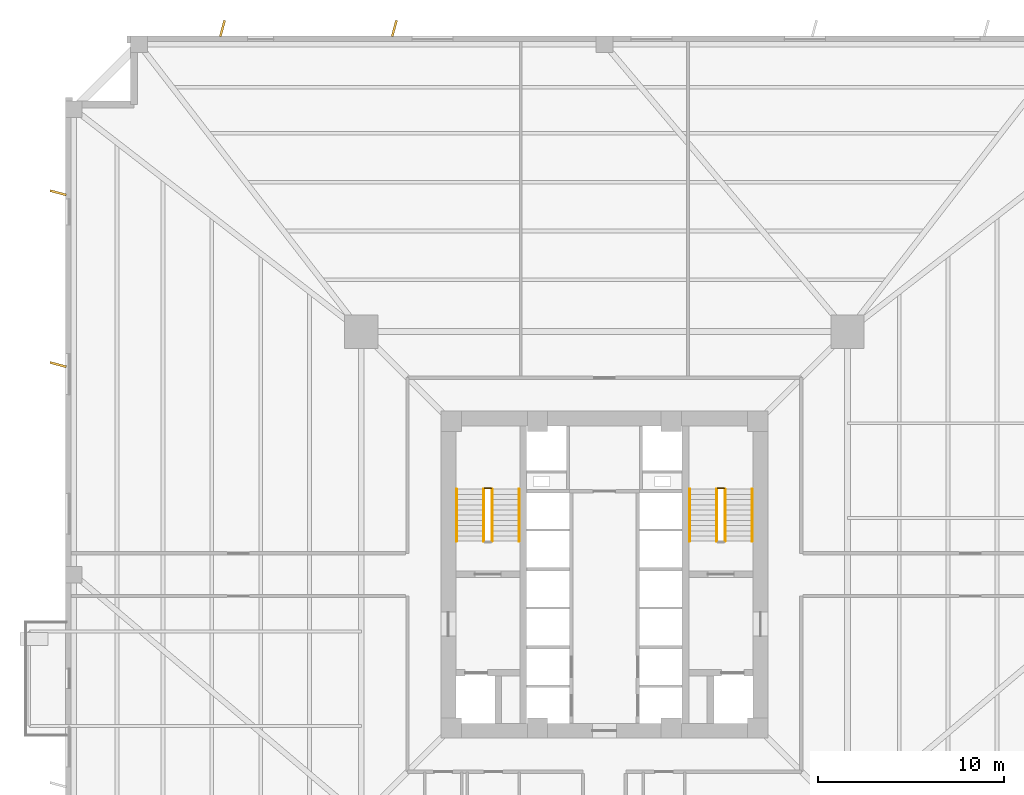
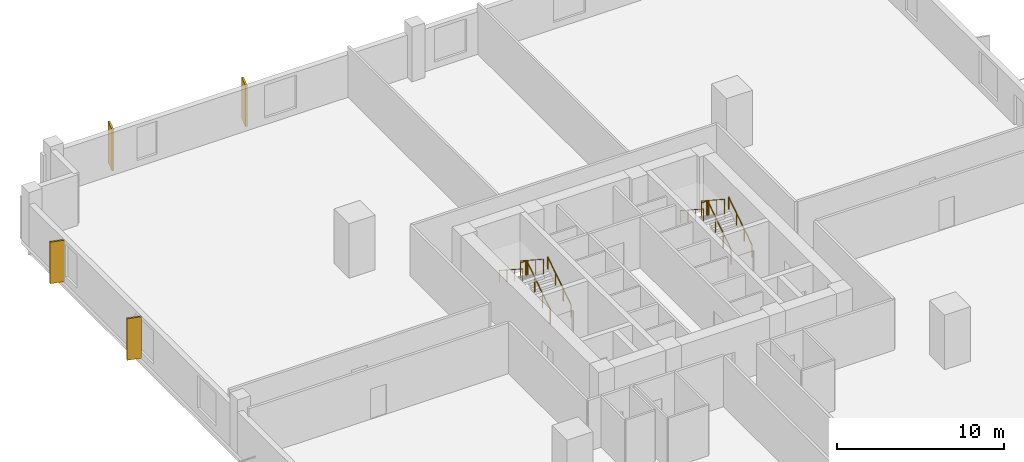
# One storey, part 7 of 8: 10 railings, 4 coverings.
"""IFC4 building model written with IfcOpenShell, lengths in metres."""

from ifc_helpers import new_model, si_unit, direction, frame, origin, origin_2d, place, context, subcontext, project, spatial, rectangle, circle, extrude, source, transform, mapped, material, layer, layer_set, type_object, element, save


model = new_model("IFC4")

# Units and contexts
model_context = context("Model", 3, precision=1e-05, world=origin(), true_north=direction((0.0, 1.0)))
body_context = subcontext(model_context, "Body", "Model", "MODEL_VIEW")
ifc_project = project(units=[si_unit("LENGTHUNIT", "METRE"), si_unit("AREAUNIT", "SQUARE_METRE"), si_unit("VOLUMEUNIT", "CUBIC_METRE"), si_unit("PLANEANGLEUNIT", "RADIAN"), si_unit("MASSUNIT", "GRAM", prefix="KILO"), si_unit("THERMODYNAMICTEMPERATUREUNIT", "KELVIN")], contexts=[model_context])

# Site, building, storey
site_placement = place(None, origin())
site = spatial("IfcSite", under=ifc_project, at=site_placement, CompositionType="ELEMENT")
building_placement = place(site_placement, origin())
building = spatial("IfcBuilding", under=site, at=building_placement, Name="Kosmvard Interchange Tower", CompositionType="ELEMENT")
storey_placement = place(building_placement, frame((0.0, 0.0, 34.0)))
storey = spatial("IfcBuildingStorey", under=building, at=storey_placement, Name="L07", CompositionType="ELEMENT", Elevation=34.0)

# Coverings
ifc_material_1 = material(Name="Architectural anodised aluminium", Category="aluminium")
ifc_layer = layer(ifc_material_1, 0.1201171875, Name="Architectural anodised aluminium")
ifc_layer_set = layer_set([ifc_layer], Name="Architectural anodised aluminium")
covering_type = type_object("IfcCoveringType", Name="Rotating Vertical Sun-Breaker Fin 900x120 Aluminium", PredefinedType="CLADDING", material=ifc_layer_set)
shared_shape_1 = source(origin(), body_context, "Body", "SweptSolid", [
    extrude(rectangle(XDim=0.89990234375, YDim=0.1201171875, at=origin_2d()), origin(), (0.0, 0.0, 1.0), 3.0400390625),
])
for number, where, z_axis, x_axis, name in (
    (1, (-11.3037109375, 29.39990234375, 0.0400390625), (0.0, 0.0, 1.0), (0.260504508643, 0.965472630879, 0.0), "L07 Rotating Vertical Sun-Breaker Fin 11"),
    (2, (-20.552001953125, 29.39990234375, 0.0400390625), (0.0, 0.0, 1.0), (0.260504508643, 0.965472630879, 0.0), "L07 Rotating Vertical Sun-Breaker Fin 12"),
    (3, (-29.39990234375, 20.552001953125, 0.0400390625), (0.0, 0.0, 1.0), (-0.965472630879, 0.260504508643, 0.0), "L07 Rotating Vertical Sun-Breaker Fin 13"),
    (4, (-29.39990234375, 11.3037109375, 0.0400390625), (0.0, 0.0, 1.0), (-0.965472630879, 0.260504508643, 0.0), "L07 Rotating Vertical Sun-Breaker Fin 14"),
):
    element("IfcCovering", number, at=place(storey_placement, frame(where, z_axis=z_axis, x_axis=x_axis)), inside=storey, type_object=covering_type, Name=name, PredefinedType="CLADDING", context=body_context, shape_type="MappedRepresentation", body=[
        mapped(shared_shape_1, transform((0.0, 0.0, 0.0), scale=1.0)),
    ])

# Railings
ifc_material_2 = material(Name="Steel S355", Category="steel")
railing_type_1 = type_object("IfcRailingType", Name="Stair & Terrace Safety Guardrail 1100 Steel", PredefinedType="GUARDRAIL", material=ifc_material_2)
shared_shape_2 = source(origin(), body_context, "Body", "SweptSolid", [
    extrude(circle(Radius=0.02392578125, at=origin_2d()), frame((0.0, 0.0, 1.076171875), z_axis=(-1.0, 0.0, 0.0), x_axis=(0.0, -1.0, 0.0)), (0.0, 0.0, 1.0), 0.35986328125),
    extrude(circle(Radius=0.02099609375, at=origin_2d()), origin(), (0.0, 0.0, 1.0), 1.052001953125),
    extrude(circle(Radius=0.02099609375, at=origin_2d()), frame((-0.35986328125, 0.0, 0.0)), (0.0, 0.0, 1.0), 1.052001953125),
])
for number, where, name in (
    (5, (-6.090087890625, 4.64990234375, 2.0), "L07 ST-1 stair guard 2"),
    (6, (6.449951171875, 4.64990234375, 2.0), "L07 ST-2 stair guard 2"),
):
    element("IfcRailing", number, at=place(storey_placement, frame(where)), inside=storey, type_object=railing_type_1, Name=name, PredefinedType="GUARDRAIL", context=body_context, shape_type="MappedRepresentation", body=[
        mapped(shared_shape_2, transform((0.0, 0.0, 0.0), scale=1.0)),
    ])
shared_shape_3 = source(origin(), body_context, "Body", "SweptSolid", [
    extrude(circle(Radius=0.02392578125, at=origin_2d()), frame((0.0, 0.0, 1.076171875), z_axis=(0.0, 0.838705829183, 0.544584733623), x_axis=(-1.0, 0.0, 0.0)), (0.0, 0.0, 1.0), 3.338623046875),
    extrude(circle(Radius=0.02099609375, at=origin_2d()), origin(), (0.0, 0.0, 1.0), 1.052001953125),
    extrude(circle(Radius=0.02099609375, at=origin_2d()), frame((0.0, 0.933349609375, 0.60595703125)), (0.0, 0.0, 1.0), 1.052001953125),
    extrude(circle(Radius=0.02099609375, at=origin_2d()), frame((0.0, 1.86669921875, 1.212158203125)), (0.0, 0.0, 1.0), 1.052001953125),
    extrude(circle(Radius=0.02099609375, at=origin_2d()), frame((0.0, 2.800048828125, 1.818115234375)), (0.0, 0.0, 1.0), 1.052001953125),
])
for number, where, name in (
    (7, (-6.0400390625, 1.800048828125, 0.181884765625), "L07 ST-1 stair guard 1"),
    (8, (6.5, 1.800048828125, 0.181884765625), "L07 ST-2 stair guard 1"),
):
    element("IfcRailing", number, at=place(storey_placement, frame(where)), inside=storey, type_object=railing_type_1, Name=name, PredefinedType="GUARDRAIL", context=body_context, shape_type="MappedRepresentation", body=[
        mapped(shared_shape_3, transform((0.0, 0.0, 0.0), scale=1.0)),
    ])
shared_shape_4 = source(origin(), body_context, "Body", "SweptSolid", [
    extrude(circle(Radius=0.02392578125, at=origin_2d()), frame((0.0, 0.0, 1.076171875), z_axis=(0.0, -0.838705829183, 0.544584733623), x_axis=(1.0, 0.0, 0.0)), (0.0, 0.0, 1.0), 3.338623046875),
    extrude(circle(Radius=0.02099609375, at=origin_2d()), origin(), (0.0, 0.0, 1.0), 1.052001953125),
    extrude(circle(Radius=0.02099609375, at=origin_2d()), frame((0.0, -0.933349609375, 0.60595703125)), (0.0, 0.0, 1.0), 1.052001953125),
    extrude(circle(Radius=0.02099609375, at=origin_2d()), frame((0.0, -1.86669921875, 1.212158203125)), (0.0, 0.0, 1.0), 1.052001953125),
    extrude(circle(Radius=0.02099609375, at=origin_2d()), frame((0.0, -2.800048828125, 1.818115234375)), (0.0, 0.0, 1.0), 1.052001953125),
])
for number, where, name in (
    (9, (-6.5, 4.60009765625, 2.181884765625), "L07 ST-1 stair guard 3"),
    (10, (6.0400390625, 4.60009765625, 2.181884765625), "L07 ST-2 stair guard 3"),
):
    element("IfcRailing", number, at=place(storey_placement, frame(where)), inside=storey, type_object=railing_type_1, Name=name, PredefinedType="GUARDRAIL", context=body_context, shape_type="MappedRepresentation", body=[
        mapped(shared_shape_4, transform((0.0, 0.0, 0.0), scale=1.0)),
    ])
railing_type_2 = type_object("IfcRailingType", Name="Wall-Mounted Stair Handrail 900 Steel", PredefinedType="HANDRAIL", material=ifc_material_2)
shared_shape_5 = source(origin(), body_context, "Body", "SweptSolid", [
    extrude(circle(Radius=0.02392578125, at=origin_2d()), frame((0.0, 0.0, 0.8759765625), z_axis=(0.0, 0.838705829183, 0.544584733623), x_axis=(-1.0, 0.0, 0.0)), (0.0, 0.0, 1.0), 3.338623046875),
    extrude(circle(Radius=0.02099609375, at=origin_2d()), origin(), (0.0, 0.0, 1.0), 0.851806640625),
    extrude(circle(Radius=0.02099609375, at=origin_2d()), frame((0.0, 0.933349609375, 0.60595703125)), (0.0, 0.0, 1.0), 0.851806640625),
    extrude(circle(Radius=0.02099609375, at=origin_2d()), frame((0.0, 1.86669921875, 1.212158203125)), (0.0, 0.0, 1.0), 0.851806640625),
    extrude(circle(Radius=0.02099609375, at=origin_2d()), frame((0.0, 2.800048828125, 1.818115234375)), (0.0, 0.0, 1.0), 0.851806640625),
])
for number, where, name in (
    (11, (-4.590087890625, 1.800048828125, 0.181884765625), "L07 ST-1 stair handrail 1"),
    (12, (7.949951171875, 1.800048828125, 0.181884765625), "L07 ST-2 stair handrail 1"),
):
    element("IfcRailing", number, at=place(storey_placement, frame(where)), inside=storey, type_object=railing_type_2, Name=name, PredefinedType="HANDRAIL", context=body_context, shape_type="MappedRepresentation", body=[
        mapped(shared_shape_5, transform((0.0, 0.0, 0.0), scale=1.0)),
    ])
shared_shape_6 = source(origin(), body_context, "Body", "SweptSolid", [
    extrude(circle(Radius=0.02392578125, at=origin_2d()), frame((0.0, 0.0, 0.8759765625), z_axis=(0.0, -0.838705829183, 0.544584733623), x_axis=(1.0, 0.0, 0.0)), (0.0, 0.0, 1.0), 3.338623046875),
    extrude(circle(Radius=0.02099609375, at=origin_2d()), origin(), (0.0, 0.0, 1.0), 0.851806640625),
    extrude(circle(Radius=0.02099609375, at=origin_2d()), frame((0.0, -0.933349609375, 0.60595703125)), (0.0, 0.0, 1.0), 0.851806640625),
    extrude(circle(Radius=0.02099609375, at=origin_2d()), frame((0.0, -1.86669921875, 1.212158203125)), (0.0, 0.0, 1.0), 0.851806640625),
    extrude(circle(Radius=0.02099609375, at=origin_2d()), frame((0.0, -2.800048828125, 1.818115234375)), (0.0, 0.0, 1.0), 0.851806640625),
])
for number, where, name in (
    (13, (-7.949951171875, 4.60009765625, 2.181884765625), "L07 ST-1 stair handrail 2"),
    (14, (4.590087890625, 4.60009765625, 2.181884765625), "L07 ST-2 stair handrail 2"),
):
    element("IfcRailing", number, at=place(storey_placement, frame(where)), inside=storey, type_object=railing_type_2, Name=name, PredefinedType="HANDRAIL", context=body_context, shape_type="MappedRepresentation", body=[
        mapped(shared_shape_6, transform((0.0, 0.0, 0.0), scale=1.0)),
    ])

save(model, "model.ifc")
